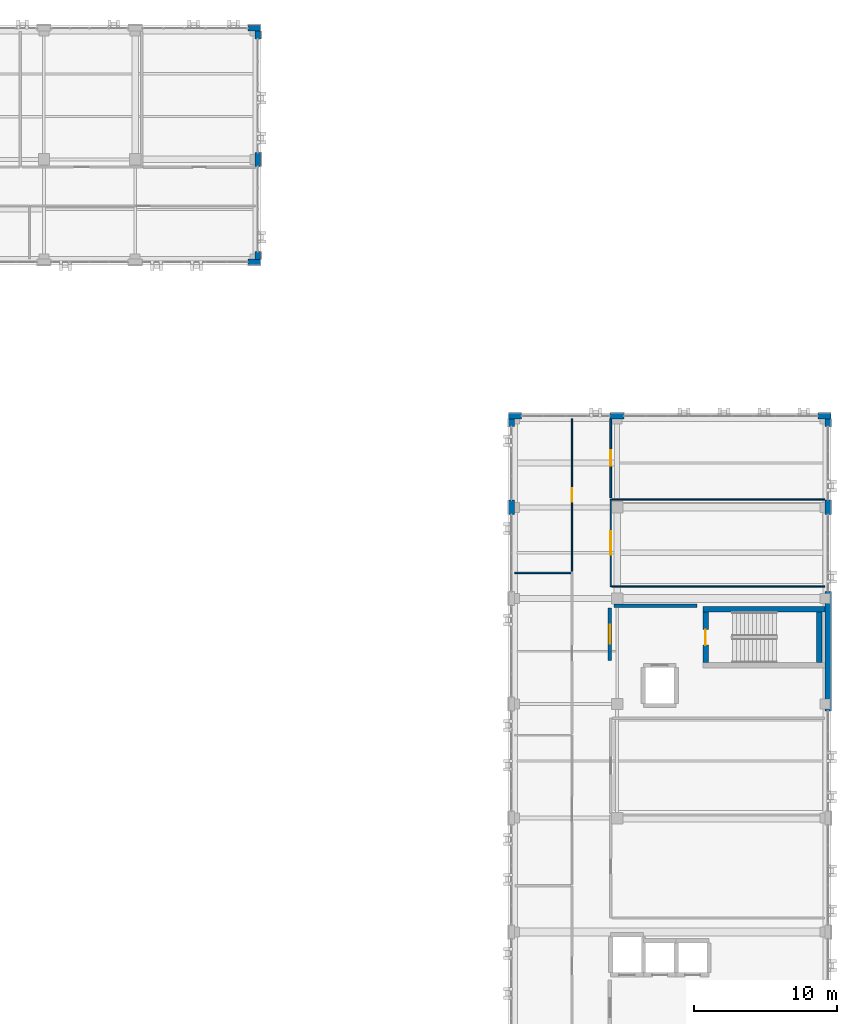
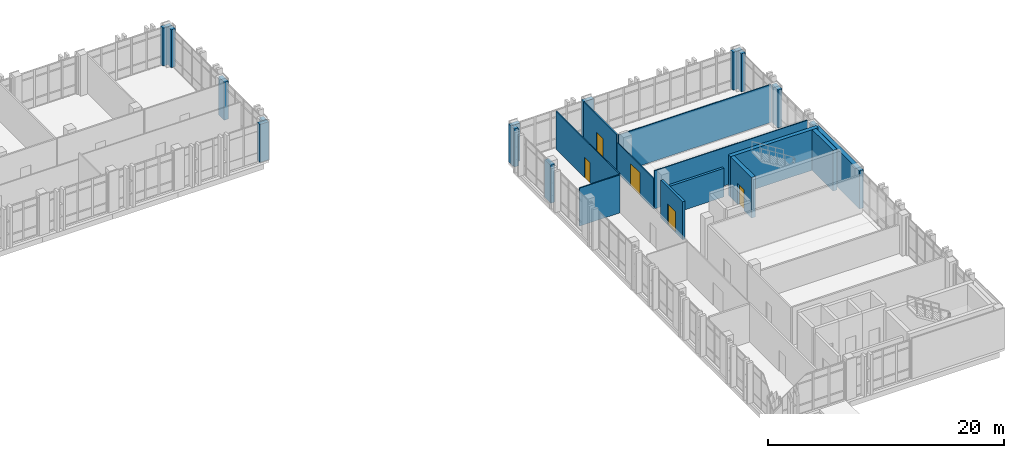
# One storey, part 135 of 158: 24 walls, 5 doors, 5 openings.
"""IFC4 building model written with IfcOpenShell, lengths in metres."""

from ifc_helpers import new_model, si_unit, direction, frame, frame_2d, origin, place, context, subcontext, project, spatial, rectangle, extrude, material, layer, layer_set, type_object, element, fill, save


model = new_model("IFC4")

# Units and contexts
model_context = context("Model", 3, precision=1e-05, world=origin(), true_north=direction((0.0, 1.0)))
body_context = subcontext(model_context, "Body", "Model", "MODEL_VIEW")
ifc_project = project(units=[si_unit("LENGTHUNIT", "METRE"), si_unit("AREAUNIT", "SQUARE_METRE"), si_unit("VOLUMEUNIT", "CUBIC_METRE"), si_unit("PLANEANGLEUNIT", "RADIAN"), si_unit("MASSUNIT", "GRAM", prefix="KILO")], contexts=[model_context])

# Site, building, storey
site_placement = place(None, origin())
site = spatial("IfcSite", under=ifc_project, at=site_placement, CompositionType="ELEMENT")
building_placement = place(site_placement, origin())
building = spatial("IfcBuilding", under=site, at=building_placement, Name="Qalavern Law Courts", CompositionType="ELEMENT")
storey_placement = place(building_placement, frame((0.0, 0.0, 18.60009765625)))
storey = spatial("IfcBuildingStorey", under=building, at=storey_placement, Name="L04", CompositionType="ELEMENT", Elevation=18.60009765625)

# Walls
ifc_material_1 = material(Name="Concrete C40/50", Category="concrete")
ifc_layer_1 = layer(ifc_material_1, 0.39990234375)
ifc_layer_set_1 = layer_set([ifc_layer_1], Name="Concrete C40/50")
wall_type_1 = type_object("IfcWallType", Name="ENV-EW-400", PredefinedType="SOLIDWALL", material=ifc_layer_set_1)
wall_1_placement = place(storey_placement, frame((106.60009765625, 64.89990234375, 0.0), z_axis=(0.0, 0.0, 1.0), x_axis=(0.0, 1.0, 0.0)))
element("IfcWall", 1, at=wall_1_placement, inside=storey, type_object=wall_type_1, Name="V4 exterior pier wall L04 east 4", PredefinedType="SOLIDWALL", context=body_context, shape_type="SweptSolid", body=[
    extrude(rectangle(XDim=8.400146484375, YDim=0.39990234375, at=frame_2d((4.2001953125, 0.0))), origin(), (0.0, 0.0, 1.0), 3.9248046875),
])
wall_2_placement = place(storey_placement, frame((106.60009765625, 78.699951171875, 0.0), z_axis=(0.0, 0.0, 1.0), x_axis=(0.0, 1.0, 0.0)))
element("IfcWall", 2, at=wall_2_placement, inside=storey, type_object=wall_type_1, Name="V4 exterior pier wall L04 east 5", PredefinedType="SOLIDWALL", context=body_context, shape_type="SweptSolid", body=[
    extrude(rectangle(XDim=1.0, YDim=0.39990234375, at=frame_2d((0.5, 0.0))), origin(), (0.0, 0.0, 1.0), 3.9248046875),
])
wall_3_placement = place(storey_placement, frame((106.60009765625, 84.85498046875, 0.0), z_axis=(0.0, 0.0, 1.0), x_axis=(0.0, 1.0, 0.0)))
element("IfcWall", 3, at=wall_3_placement, inside=storey, type_object=wall_type_1, Name="V4 exterior pier wall L04 east 6", PredefinedType="SOLIDWALL", context=body_context, shape_type="SweptSolid", body=[
    extrude(rectangle(XDim=0.550048828125, YDim=0.39990234375, at=frame_2d((0.27490234375, 0.0))), origin(), (0.0, 0.0, 1.0), 3.9248046875),
])
wall_4_placement = place(storey_placement, frame((106.800048828125, 85.60009765625, 0.0), z_axis=(0.0, 0.0, 1.0), x_axis=(-1.0, 0.0, 0.0)))
element("IfcWall", 4, at=wall_4_placement, inside=storey, type_object=wall_type_1, Name="V4 exterior pier wall L04 north 1", PredefinedType="SOLIDWALL", context=body_context, shape_type="SweptSolid", body=[
    extrude(rectangle(XDim=0.900146484375, YDim=0.39990234375, at=frame_2d((0.4501953125, 0.0))), origin(), (0.0, 0.0, 1.0), 3.9248046875),
])
wall_5_placement = place(storey_placement, frame((92.300048828125, 85.60009765625, 0.0), z_axis=(0.0, 0.0, 1.0), x_axis=(-1.0, 0.0, 0.0)))
element("IfcWall", 5, at=wall_5_placement, inside=storey, type_object=wall_type_1, Name="V4 exterior pier wall L04 north 2", PredefinedType="SOLIDWALL", context=body_context, shape_type="SweptSolid", body=[
    extrude(rectangle(XDim=1.0, YDim=0.39990234375, at=frame_2d((0.5, 0.0))), origin(), (0.0, 0.0, 1.0), 3.9248046875),
])
wall_6_placement = place(storey_placement, frame((85.10009765625, 85.60009765625, 0.0), z_axis=(0.0, 0.0, 1.0), x_axis=(-1.0, 0.0, 0.0)))
element("IfcWall", 6, at=wall_6_placement, inside=storey, type_object=wall_type_1, Name="V4 exterior pier wall L04 north 3", PredefinedType="SOLIDWALL", context=body_context, shape_type="SweptSolid", body=[
    extrude(rectangle(XDim=0.900146484375, YDim=0.39990234375, at=frame_2d((0.4501953125, 0.0))), origin(), (0.0, 0.0, 1.0), 3.9248046875),
])
wall_7_placement = place(storey_placement, frame((84.39990234375, 85.405029296875, 0.0), z_axis=(0.0, 0.0, 1.0), x_axis=(0.0, -1.0, 0.0)))
element("IfcWall", 7, at=wall_7_placement, inside=storey, type_object=wall_type_1, Name="V4 exterior pier wall L04 west 1", PredefinedType="SOLIDWALL", context=body_context, shape_type="SweptSolid", body=[
    extrude(rectangle(XDim=0.550048828125, YDim=0.39990234375, at=frame_2d((0.27490234375, 0.0))), origin(), (0.0, 0.0, 1.0), 3.9248046875),
])
wall_8_placement = place(storey_placement, frame((84.39990234375, 79.699951171875, 0.0), z_axis=(0.0, 0.0, 1.0), x_axis=(0.0, -1.0, 0.0)))
element("IfcWall", 8, at=wall_8_placement, inside=storey, type_object=wall_type_1, Name="V4 exterior pier wall L04 west 2", PredefinedType="SOLIDWALL", context=body_context, shape_type="SweptSolid", body=[
    extrude(rectangle(XDim=1.0, YDim=0.39990234375, at=frame_2d((0.5, 0.0))), origin(), (0.0, 0.0, 1.0), 3.9248046875),
])
wall_9_placement = place(storey_placement, frame((65.89990234375, 96.39990234375, 0.0), z_axis=(0.0, 0.0, 1.0), x_axis=(1.0, 0.0, 0.0)))
element("IfcWall", 9, at=wall_9_placement, inside=storey, type_object=wall_type_1, Name="V5 exterior pier wall L04 south 7", PredefinedType="SOLIDWALL", context=body_context, shape_type="SweptSolid", body=[
    extrude(rectangle(XDim=0.900146484375, YDim=0.39990234375, at=frame_2d((0.4501953125, 0.0))), origin(), (0.0, 0.0, 1.0), 3.9248046875),
])
wall_10_placement = place(storey_placement, frame((66.60009765625, 96.594970703125, 0.0), z_axis=(0.0, 0.0, 1.0), x_axis=(0.0, 1.0, 0.0)))
element("IfcWall", 10, at=wall_10_placement, inside=storey, type_object=wall_type_1, Name="V5 exterior pier wall L04 east 1", PredefinedType="SOLIDWALL", context=body_context, shape_type="SweptSolid", body=[
    extrude(rectangle(XDim=0.550048828125, YDim=0.39990234375, at=frame_2d((0.27490234375, 0.0))), origin(), (0.0, 0.0, 1.0), 3.9248046875),
])
wall_11_placement = place(storey_placement, frame((66.60009765625, 103.10009765625, 0.0), z_axis=(0.0, 0.0, 1.0), x_axis=(0.0, 1.0, 0.0)))
element("IfcWall", 11, at=wall_11_placement, inside=storey, type_object=wall_type_1, Name="V5 exterior pier wall L04 east 2", PredefinedType="SOLIDWALL", context=body_context, shape_type="SweptSolid", body=[
    extrude(rectangle(XDim=1.0, YDim=0.39990234375, at=frame_2d((0.5, 0.0))), origin(), (0.0, 0.0, 1.0), 3.9248046875),
])
wall_12_placement = place(storey_placement, frame((66.60009765625, 112.054931640625, 0.0), z_axis=(0.0, 0.0, 1.0), x_axis=(0.0, 1.0, 0.0)))
element("IfcWall", 12, at=wall_12_placement, inside=storey, type_object=wall_type_1, Name="V5 exterior pier wall L04 east 3", PredefinedType="SOLIDWALL", context=body_context, shape_type="SweptSolid", body=[
    extrude(rectangle(XDim=0.550048828125, YDim=0.39990234375, at=frame_2d((0.27490234375, 0.0))), origin(), (0.0, 0.0, 1.0), 3.9248046875),
])
wall_13_placement = place(storey_placement, frame((66.800048828125, 112.800048828125, 0.0), z_axis=(0.0, 0.0, 1.0), x_axis=(-1.0, 0.0, 0.0)))
element("IfcWall", 13, at=wall_13_placement, inside=storey, type_object=wall_type_1, Name="V5 exterior pier wall L04 north 1", PredefinedType="SOLIDWALL", context=body_context, shape_type="SweptSolid", body=[
    extrude(rectangle(XDim=0.900146484375, YDim=0.39990234375, at=frame_2d((0.4501953125, 0.0))), origin(), (0.0, 0.0, 1.0), 3.9248046875),
])
ifc_material_2 = material(Name="Concrete C45/55", Category="concrete")
ifc_layer_2 = layer(ifc_material_2, 0.375)
ifc_layer_set_2 = layer_set([ifc_layer_2], Name="Concrete C45/55")
wall_type_2 = type_object("IfcWallType", Name="INT-CW-375", PredefinedType="SHEAR", material=ifc_layer_set_2)
wall_14_placement = place(storey_placement, frame((105.987548828125, 68.300048828125, 0.0), z_axis=(0.0, 0.0, 1.0), x_axis=(0.0, 1.0, 0.0)))
element("IfcWall", 14, at=wall_14_placement, inside=storey, type_object=wall_type_2, Name="Core K1B stair shear wall L04 east", PredefinedType="SHEAR", context=body_context, shape_type="SweptSolid", body=[
    extrude(rectangle(XDim=3.550048828125, YDim=0.375, at=frame_2d((1.77490234375, 0.0))), origin(), (0.0, 0.0, 1.0), 4.199951171875),
])
wall_15_placement = place(storey_placement, frame((106.39697265625, 72.03759765625, 0.0), z_axis=(0.0, 0.0, 1.0), x_axis=(-1.0, 0.0, 0.0)))
element("IfcWall", 15, at=wall_15_placement, inside=storey, type_object=wall_type_2, Name="Core K1B stair shear wall L04 north", PredefinedType="SHEAR", context=body_context, shape_type="SweptSolid", body=[
    extrude(rectangle(XDim=8.572021484375, YDim=0.375, at=frame_2d((4.2861328125, 0.0))), origin(), (0.0, 0.0, 1.0), 4.199951171875),
])

# Wall, opening, door
wall_16_placement = place(storey_placement, frame((98.012451171875, 71.85009765625, 0.0), z_axis=(0.0, 0.0, 1.0), x_axis=(0.0, -1.0, 0.0)))
wall_16 = element("IfcWall", 16, at=wall_16_placement, inside=storey, type_object=wall_type_2, Name="Core K1B stair shear wall L04 west", PredefinedType="SHEAR", context=body_context, shape_type="SweptSolid", body=[
    extrude(rectangle(XDim=3.550048828125, YDim=0.375, at=frame_2d((1.77490234375, 0.0))), origin(), (0.0, 0.0, 1.0), 4.199951171875),
])
opening_1_placement = place(wall_16_placement, frame((1.22509765625, 0.0, 0.0)))
opening_1 = element("IfcOpeningElement", 17, at=opening_1_placement, cuts=wall_16, Name="Opening L04-D037", PredefinedType="OPENING", context=body_context, shape_type="SweptSolid", body=[
    extrude(rectangle(XDim=1.10009765625, YDim=2.14990234375, at=frame_2d((0.550048828125, 1.074951171875))), frame((0.0, 0.202392578125, 0.0), z_axis=(0.0, -1.0, 0.0), x_axis=(1.0, 0.0, 0.0)), (0.0, 0.0, 1.0), 0.40478515625),
])
ifc_material_3 = material(Name="Steel fire-rated stair enclosure door", Category="steel")
door_type_1 = type_object("IfcDoorType", Name="INT-FD-1100x2150", OperationType="NOTDEFINED", PredefinedType="DOOR", material=ifc_material_3)
door_1_placement = place(opening_1_placement, frame((1.10009765625, 0.0, 0.0), z_axis=(0.0, 0.0, 1.0), x_axis=(-1.0, 0.0, 0.0)))
door_1 = element("IfcDoor", 18, at=door_1_placement, inside=storey, type_object=door_type_1, Name="Stair K1B fire door L04", OperationType="SINGLE_SWING_LEFT", OverallHeight=2.14990234375, OverallWidth=1.10009765625, PredefinedType="DOOR", context=body_context, shape_type="SweptSolid", body=[
    extrude(rectangle(XDim=1.10009765625, YDim=2.14990234375, at=frame_2d((0.550048828125, 1.074951171875))), frame((0.0, 0.02490234375, 0.0), z_axis=(0.0, -1.0, 0.0), x_axis=(1.0, 0.0, 0.0)), (0.0, 0.0, 1.0), 0.050048828125),
])
fill(opening_1, door_1)

ifc_layer_3 = layer(ifc_material_1, 0.2451171875)
ifc_layer_set_3 = layer_set([ifc_layer_3], Name="Concrete C40/50")
wall_type_3 = type_object("IfcWallType", Name="INT-FW-245", PredefinedType="PARTITIONING", material=ifc_layer_set_3)
wall_17_placement = place(storey_placement, frame((91.300048828125, 68.449951171875, 0.0), z_axis=(0.0, 0.0, 1.0), x_axis=(0.0, 1.0, 0.0)))
wall_17 = element("IfcWall", 19, at=wall_17_placement, inside=storey, type_object=wall_type_3, Name="Core K1B firefighting/stair lobby fire wall L04", PredefinedType="PARTITIONING", context=body_context, shape_type="SweptSolid", body=[
    extrude(rectangle(XDim=3.699951171875, YDim=0.2451171875, at=frame_2d((1.85009765625, 0.0))), origin(), (0.0, 0.0, 1.0), 3.9248046875),
])
opening_2_placement = place(wall_17_placement, frame((1.175048828125, 0.0, 0.0)))
opening_2 = element("IfcOpeningElement", 20, at=opening_2_placement, cuts=wall_17, Name="Opening L04-D038", PredefinedType="OPENING", context=body_context, shape_type="SweptSolid", body=[
    extrude(rectangle(XDim=1.35009765625, YDim=2.199951171875, at=frame_2d((0.675048828125, 1.10009765625))), frame((0.0, 0.137451171875, 0.0), z_axis=(0.0, -1.0, 0.0), x_axis=(1.0, 0.0, 0.0)), (0.0, 0.0, 1.0), 0.27490234375),
])
ifc_material_4 = material(Name="Steel fire-rated frame and acoustic timber leaves", Category="steel")
door_type_2 = type_object("IfcDoorType", Name="INT-FD-1350x2200", OperationType="DOUBLE_DOOR_SINGLE_SWING", PredefinedType="DOOR", material=ifc_material_4)
door_2_placement = place(opening_2_placement, origin())
door_2 = element("IfcDoor", 21, at=door_2_placement, inside=storey, type_object=door_type_2, Name="Core K1B lobby fire door L04", OperationType="DOUBLE_DOOR_SINGLE_SWING", OverallHeight=2.199951171875, OverallWidth=1.35009765625, PredefinedType="DOOR", context=body_context, shape_type="SweptSolid", body=[
    extrude(rectangle(XDim=1.35009765625, YDim=2.199951171875, at=frame_2d((0.675048828125, 1.10009765625))), frame((0.0, 0.02490234375, 0.0), z_axis=(0.0, -1.0, 0.0), x_axis=(1.0, 0.0, 0.0)), (0.0, 0.0, 1.0), 0.050048828125),
])
fill(opening_2, door_2)

# Wall
wall_18_placement = place(storey_placement, frame((91.60009765625, 72.300048828125, 0.0), z_axis=(0.0, 0.0, 1.0), x_axis=(1.0, 0.0, 0.0)))
element("IfcWall", 22, at=wall_18_placement, inside=storey, type_object=wall_type_3, Name="Core K1B lobby return wall L04 north", PredefinedType="PARTITIONING", context=body_context, shape_type="SweptSolid", body=[
    extrude(rectangle(XDim=5.7998046875, YDim=0.2451171875, at=frame_2d((2.89990234375, 0.0))), origin(), (0.0, 0.0, 1.0), 2.954833984375),
])

# Wall, opening, door
ifc_material_5 = material(Name="Gypsum shaft/chase partition")
ifc_layer_4 = layer(ifc_material_5, 0.092041015625)
ifc_layer_set_4 = layer_set([ifc_layer_4], Name="Gypsum shaft/chase partition")
wall_type_4 = type_object("IfcWallType", Name="INT-PW-092", PredefinedType="PARTITIONING", material=ifc_layer_set_4)
wall_19_placement = place(storey_placement, frame((91.360107421875, 73.639892578125, 0.0), z_axis=(0.0, 0.0, 1.0), x_axis=(0.0, 1.0, 0.0)))
wall_19 = element("IfcWall", 23, at=wall_19_placement, inside=storey, type_object=wall_type_4, Name="Commercial Courtroom corridor partition L04", PredefinedType="PARTITIONING", context=body_context, shape_type="SweptSolid", body=[
    extrude(rectangle(XDim=6.105224609375, YDim=0.092041015625, at=frame_2d((3.052734375, 0.0))), origin(), (0.0, 0.0, 1.0), 3.15478515625),
])
opening_3_placement = place(wall_19_placement, frame((2.2275390625, 0.0, 0.0)))
opening_3 = element("IfcOpeningElement", 24, at=opening_3_placement, cuts=wall_19, Name="Opening L04-D291", PredefinedType="OPENING", context=body_context, shape_type="SweptSolid", body=[
    extrude(rectangle(XDim=1.64990234375, YDim=2.35009765625, at=frame_2d((0.824951171875, 1.175048828125))), frame((0.0, 0.06103515625, 0.0), z_axis=(0.0, -1.0, 0.0), x_axis=(1.0, 0.0, 0.0)), (0.0, 0.0, 1.0), 0.121826171875),
])
ifc_material_6 = material(Name="Acoustic oak double Ceremonial Courtroom door")
door_type_3 = type_object("IfcDoorType", Name="INT-ID-1650x2350", OperationType="DOUBLE_DOOR_SINGLE_SWING", PredefinedType="DOOR", material=ifc_material_6)
door_3_placement = place(opening_3_placement, origin())
door_3 = element("IfcDoor", 25, at=door_3_placement, inside=storey, type_object=door_type_3, Name="Commercial Courtroom door L04", OperationType="DOUBLE_DOOR_SINGLE_SWING", OverallHeight=2.35009765625, OverallWidth=1.64990234375, PredefinedType="DOOR", context=body_context, shape_type="SweptSolid", body=[
    extrude(rectangle(XDim=1.64990234375, YDim=2.35009765625, at=frame_2d((0.824951171875, 1.175048828125))), frame((0.0, 0.02490234375, 0.0), z_axis=(0.0, -1.0, 0.0), x_axis=(1.0, 0.0, 0.0)), (0.0, 0.0, 1.0), 0.050048828125),
])
fill(opening_3, door_3)

# Walls
for number, where, z_axis, x_axis, name in (
    (26, (91.426025390625, 73.639892578125, 0.0), (0.0, 0.0, 1.0), (1.0, 0.0, 0.0), "Commercial Courtroom cross partition L04 south"),
    (27, (91.426025390625, 79.7451171875, 0.0), (0.0, 0.0, 1.0), (1.0, 0.0, 0.0), "Commercial Courtroom cross partition L04 north"),
):
    element("IfcWall", number, at=place(storey_placement, frame(where, z_axis=z_axis, x_axis=x_axis)), inside=storey, type_object=wall_type_4, Name=name, PredefinedType="PARTITIONING", context=body_context, shape_type="SweptSolid", body=[
        extrude(rectangle(XDim=14.93408203125, YDim=0.092041015625, at=frame_2d((7.467041015625, 0.0))), origin(), (0.0, 0.0, 1.0), 3.9248046875),
    ])

# Wall, opening, door
ifc_material_7 = material(Name="Gypsum sanitary partition")
ifc_layer_5 = layer(ifc_material_7, 0.10205078125)
ifc_layer_set_5 = layer_set([ifc_layer_5], Name="Gypsum sanitary partition")
wall_type_5 = type_object("IfcWallType", Name="INT-PW-102", PredefinedType="PARTITIONING", material=ifc_layer_set_5)
wall_20_placement = place(storey_placement, frame((88.639892578125, 74.719970703125, 0.0), z_axis=(0.0, 0.0, 1.0), x_axis=(0.0, 1.0, 0.0)))
wall_20 = element("IfcWall", 28, at=wall_20_placement, inside=storey, type_object=wall_type_5, Name="Judges' Chambers corridor partition L04", PredefinedType="PARTITIONING", context=body_context, shape_type="SweptSolid", body=[
    extrude(rectangle(XDim=10.699951171875, YDim=0.10205078125, at=frame_2d((5.35009765625, 0.0))), origin(), (0.0, 0.0, 1.0), 3.9248046875),
])
opening_4_placement = place(wall_20_placement, frame((4.8701171875, 0.0, 0.0)))
opening_4 = element("IfcOpeningElement", 29, at=opening_4_placement, cuts=wall_20, Name="Opening L04-D288", PredefinedType="OPENING", context=body_context, shape_type="SweptSolid", body=[
    extrude(rectangle(XDim=0.9599609375, YDim=2.080078125, at=frame_2d((0.47998046875, 1.0400390625))), frame((0.0, 0.06591796875, 0.0), z_axis=(0.0, -1.0, 0.0), x_axis=(1.0, 0.0, 0.0)), (0.0, 0.0, 1.0), 0.1318359375),
])
ifc_material_8 = material(Name="Timber Counsel Consultation door", Category="wood")
door_type_4 = type_object("IfcDoorType", Name="INT-ID-960x2080", OperationType="NOTDEFINED", PredefinedType="DOOR", material=ifc_material_8)
door_4_placement = place(opening_4_placement, frame((0.9599609375, 0.0, 0.0), z_axis=(0.0, 0.0, 1.0), x_axis=(-1.0, 0.0, 0.0)))
door_4 = element("IfcDoor", 30, at=door_4_placement, inside=storey, type_object=door_type_4, Name="Judges' Chambers door L04", OperationType="SINGLE_SWING_RIGHT", OverallHeight=2.080078125, OverallWidth=0.9599609375, PredefinedType="DOOR", context=body_context, shape_type="SweptSolid", body=[
    extrude(rectangle(XDim=0.9599609375, YDim=2.080078125, at=frame_2d((0.47998046875, 1.0400390625))), frame((0.0, 0.02490234375, 0.0), z_axis=(0.0, -1.0, 0.0), x_axis=(1.0, 0.0, 0.0)), (0.0, 0.0, 1.0), 0.050048828125),
])
fill(opening_4, door_4)

# Wall
ifc_material_9 = material(Name="Gypsum stud partition")
ifc_layer_6 = layer(ifc_material_9, 0.112060546875)
ifc_layer_set_6 = layer_set([ifc_layer_6], Name="Gypsum stud partition")
wall_type_6 = type_object("IfcWallType", Name="INT-PW-112", PredefinedType="PARTITIONING", material=ifc_layer_set_6)
wall_21_placement = place(storey_placement, frame((84.639892578125, 74.60009765625, 0.0), z_axis=(0.0, 0.0, 1.0), x_axis=(1.0, 0.0, 0.0)))
element("IfcWall", 31, at=wall_21_placement, inside=storey, type_object=wall_type_6, Name="Jury Deliberation Suite cross partition L04 north", PredefinedType="PARTITIONING", context=body_context, shape_type="SweptSolid", body=[
    extrude(rectangle(XDim=3.924072265625, YDim=0.112060546875, at=frame_2d((1.9619140625, 0.0))), origin(), (0.0, 0.0, 1.0), 3.9248046875),
])

# Wall, opening, door
ifc_layer_7 = layer(ifc_material_9, 0.132080078125)
ifc_layer_set_7 = layer_set([ifc_layer_7], Name="Gypsum stud partition")
wall_type_7 = type_object("IfcWallType", Name="INT-PW-132", PredefinedType="PARTITIONING", material=ifc_layer_set_7)
wall_22_placement = place(storey_placement, frame((91.360107421875, 79.864990234375, 0.0), z_axis=(0.0, 0.0, 1.0), x_axis=(0.0, 1.0, 0.0)))
wall_22 = element("IfcWall", 32, at=wall_22_placement, inside=storey, type_object=wall_type_7, Name="Jury Deliberation Suite corridor partition L04", PredefinedType="PARTITIONING", context=body_context, shape_type="SweptSolid", body=[
    extrude(rectangle(XDim=5.554931640625, YDim=0.132080078125, at=frame_2d((2.77734375, 0.0))), origin(), (0.0, 0.0, 1.0), 3.9248046875),
])
opening_5_placement = place(wall_22_placement, frame((2.232421875, 0.0, 0.0)))
opening_5 = element("IfcOpeningElement", 33, at=opening_5_placement, cuts=wall_22, Name="Opening L04-D292", PredefinedType="OPENING", context=body_context, shape_type="SweptSolid", body=[
    extrude(rectangle(XDim=1.090087890625, YDim=2.1298828125, at=frame_2d((0.544921875, 1.06494140625))), frame((0.0, 0.0810546875, 0.0), z_axis=(0.0, -1.0, 0.0), x_axis=(1.0, 0.0, 0.0)), (0.0, 0.0, 1.0), 0.161865234375),
])
ifc_material_10 = material(Name="Solid oak Senior Judges' Chambers door")
door_type_5 = type_object("IfcDoorType", Name="INT-ID-1090x2130", OperationType="NOTDEFINED", PredefinedType="DOOR", material=ifc_material_10)
door_5_placement = place(opening_5_placement, origin())
door_5 = element("IfcDoor", 34, at=door_5_placement, inside=storey, type_object=door_type_5, Name="Jury Deliberation Suite door L04", OperationType="SINGLE_SWING_LEFT", OverallHeight=2.1298828125, OverallWidth=1.090087890625, PredefinedType="DOOR", context=body_context, shape_type="SweptSolid", body=[
    extrude(rectangle(XDim=1.090087890625, YDim=2.1298828125, at=frame_2d((0.544921875, 1.06494140625))), frame((0.0, 0.02490234375, 0.0), z_axis=(0.0, -1.0, 0.0), x_axis=(1.0, 0.0, 0.0)), (0.0, 0.0, 1.0), 0.050048828125),
])
fill(opening_5, door_5)

save(model, "model.ifc")
